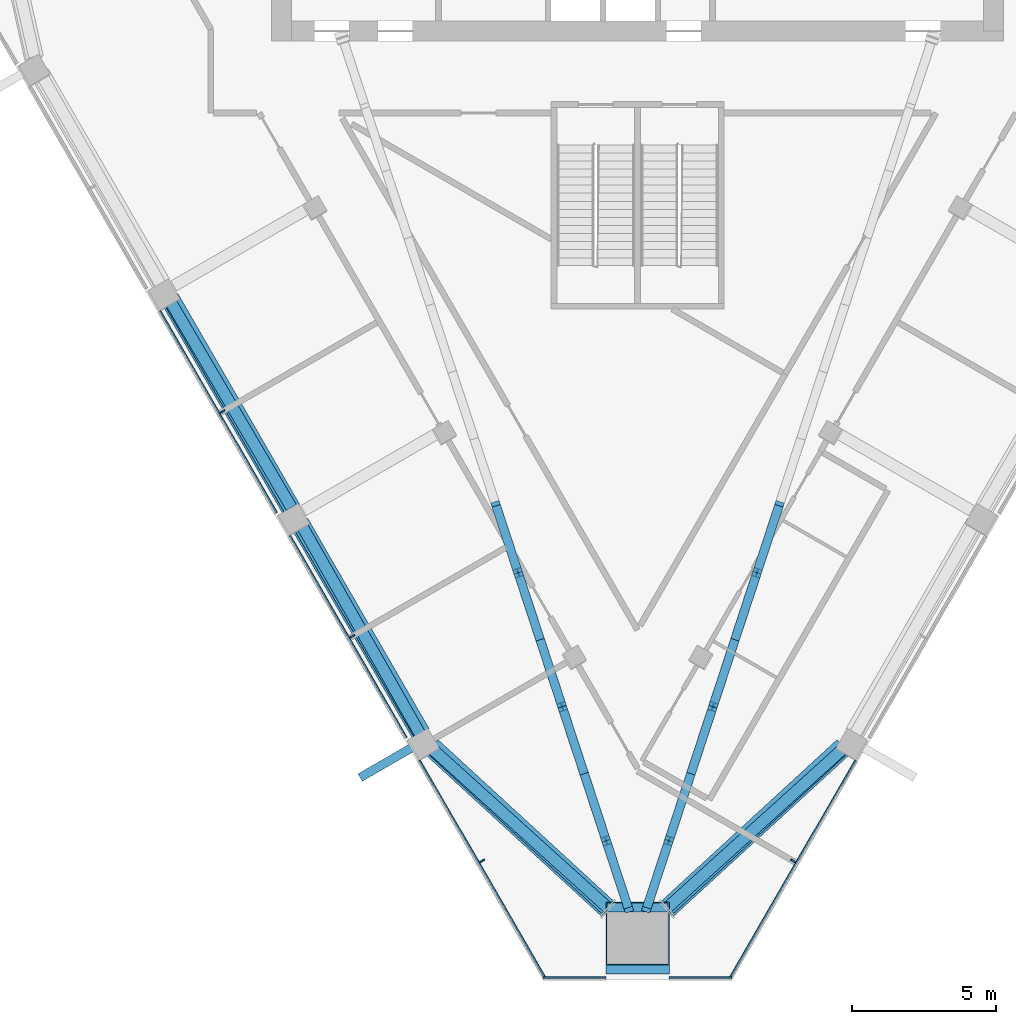
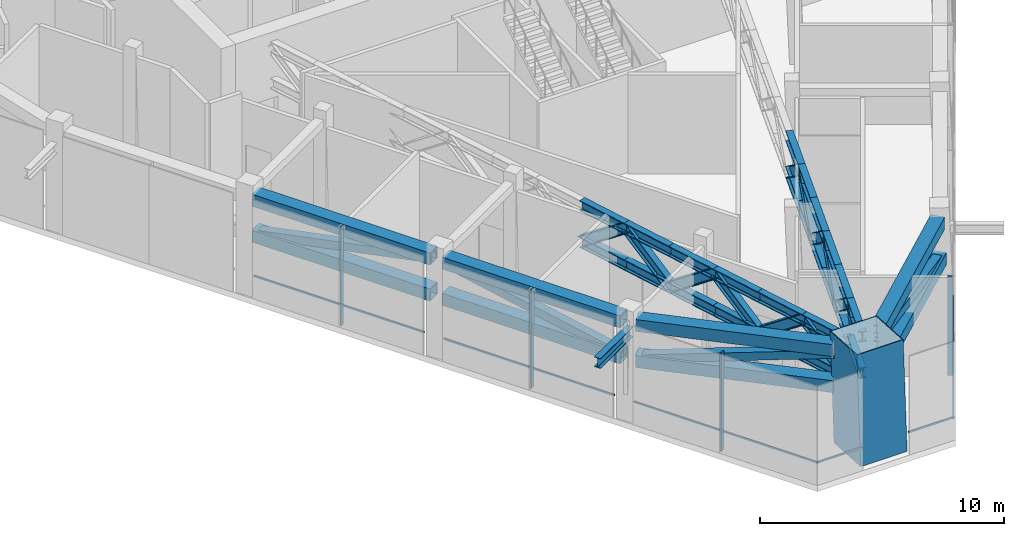
# One storey, part 2 of 14: 60 members, 3 elements without a shape of their own.
"""IFC4 building model written with IfcOpenShell, lengths in metres."""

from ifc_helpers import new_model, si_unit, direction, frame, origin, origin_2d, place, context, subcontext, project, spatial, rectangle, hollow_rectangle, i_section, extrude, material, layer, layer_set, material_profile, profile_set, type_object, element, aggregate, save


model = new_model("IFC4")

# Units and contexts
model_context = context("Model", 3, precision=1e-05, world=origin(), true_north=direction((0.0, 1.0)))
body_context = subcontext(model_context, "Body", "Model", "MODEL_VIEW")
ifc_project = project(units=[si_unit("LENGTHUNIT", "METRE"), si_unit("AREAUNIT", "SQUARE_METRE"), si_unit("VOLUMEUNIT", "CUBIC_METRE"), si_unit("PLANEANGLEUNIT", "RADIAN"), si_unit("MASSUNIT", "GRAM", prefix="KILO")], contexts=[model_context])

# Site, building, storey
site_placement = place(None, origin())
site = spatial("IfcSite", under=ifc_project, at=site_placement, CompositionType="ELEMENT")
building_placement = place(site_placement, origin())
building = spatial("IfcBuilding", under=site, at=building_placement, Name="Altiplano Prism Tower", CompositionType="ELEMENT")
storey_placement = place(building_placement, frame((0.0, 0.0, 189.0)))
storey = spatial("IfcBuildingStorey", under=building, at=storey_placement, Name="L49", CompositionType="ELEMENT", Elevation=189.0)

# Members
ifc_material_1 = material(Name="Steel S355", Category="steel")
ifc_material_profile_1 = material_profile(ifc_material_1, hollow_rectangle(XDim=0.60009765625, YDim=0.60009765625, WallThickness=0.030029296875, at=origin_2d()), Name="Belt chord Box 600x600x30")
ifc_profile_set_1 = profile_set([ifc_material_profile_1], Name="Steel S355")
member_type_1 = type_object("IfcMemberType", Name="Belt chord Box 600x600x30", PredefinedType="CHORD", material=ifc_profile_set_1)
for number, where, z_axis, x_axis, name in (
    (1, (68.757080078125, 83.725830078125, 2.89990234375), (0.499993714791, -0.866029032521, 0.0), (0.866029032521, 0.499993714791, 0.0), "Belt truss R2 chord b7"),
    (2, (68.796142578125, 83.793212890625, 4.64990234375), (0.499993714791, -0.866029032521, 0.0), (0.866029032521, 0.499993714791, 0.0), "Belt truss R2 chord t7"),
    (3, (73.257080078125, 75.931640625, 2.89990234375), (0.499993714791, -0.866029032521, 0.0), (0.866029032521, 0.499993714791, 0.0), "Belt truss R2 chord b8"),
    (4, (73.296142578125, 75.9990234375, 4.64990234375), (0.499993714791, -0.866029032521, 0.0), (0.866029032521, 0.499993714791, 0.0), "Belt truss R2 chord t8"),
):
    element("IfcMember", number, at=place(storey_placement, frame(where, z_axis=z_axis, x_axis=x_axis)), inside=storey, type_object=member_type_1, Name=name, PredefinedType="CHORD", context=body_context, shape_type="SweptSolid", body=[
        extrude(hollow_rectangle(XDim=0.60009765625, YDim=0.60009765625, WallThickness=0.030029296875, at=origin_2d()), origin(), (0.0, 0.0, 1.0), 8.43994140625),
    ])
member_1_placement = place(storey_placement, frame((77.837646484375, 68.177490234375, 2.89990234375), z_axis=(0.736503904896, -0.676433291666, 0.0), x_axis=(0.676433291666, 0.736503904896, 0.0)))
element("IfcMember", 5, at=member_1_placement, inside=storey, type_object=member_type_1, Name="Belt truss R2 chord b9", PredefinedType="CHORD", context=body_context, shape_type="SweptSolid", body=[
    extrude(hollow_rectangle(XDim=0.60009765625, YDim=0.60009765625, WallThickness=0.030029296875, at=origin_2d()), origin(), (0.0, 0.0, 1.0), 8.311279296875),
])
member_2_placement = place(storey_placement, frame((77.87646484375, 68.24462890625, 4.64990234375), z_axis=(0.736473983829, -0.676465868425, 0.0), x_axis=(0.676465868425, 0.736473983829, 0.0)))
element("IfcMember", 6, at=member_2_placement, inside=storey, type_object=member_type_1, Name="Belt truss R2 chord t9", PredefinedType="CHORD", context=body_context, shape_type="SweptSolid", body=[
    extrude(hollow_rectangle(XDim=0.60009765625, YDim=0.60009765625, WallThickness=0.030029296875, at=origin_2d()), origin(), (0.0, 0.0, 1.0), 8.259033203125),
])
member_3_placement = place(storey_placement, frame((86.041015625, 62.555419921875, 2.89990234375), z_axis=(0.736503904896, 0.676433291666, 0.0), x_axis=(-0.676433291666, 0.736503904896, 0.0)))
element("IfcMember", 7, at=member_3_placement, inside=storey, type_object=member_type_1, Name="Belt truss R2 chord b10", PredefinedType="CHORD", context=body_context, shape_type="SweptSolid", body=[
    extrude(hollow_rectangle(XDim=0.60009765625, YDim=0.60009765625, WallThickness=0.030029296875, at=origin_2d()), origin(), (0.0, 0.0, 1.0), 8.311279296875),
])
member_4_placement = place(storey_placement, frame((86.041015625, 62.65771484375, 4.64990234375), z_axis=(0.736473983829, 0.676465868425, 0.0), x_axis=(-0.676465868425, 0.736473983829, 0.0)))
element("IfcMember", 8, at=member_4_placement, inside=storey, type_object=member_type_1, Name="Belt truss R2 chord t10", PredefinedType="CHORD", context=body_context, shape_type="SweptSolid", body=[
    extrude(hollow_rectangle(XDim=0.60009765625, YDim=0.60009765625, WallThickness=0.030029296875, at=origin_2d()), origin(), (0.0, 0.0, 1.0), 8.259033203125),
])
ifc_material_profile_2 = material_profile(ifc_material_1, hollow_rectangle(XDim=0.39990234375, YDim=0.39990234375, WallThickness=0.02001953125, at=origin_2d()), Name="Belt diagonal Box 400x400x20")
ifc_profile_set_2 = profile_set([ifc_material_profile_2], Name="Steel S355")
member_type_2 = type_object("IfcMemberType", Name="Belt diagonal Box 400x400x20", PredefinedType="BRACE", material=ifc_profile_set_2)
member_5_placement = place(storey_placement, frame((68.759033203125, 83.726806640625, 2.95458984375), z_axis=(0.497100402967, -0.84626002963, 0.191664163632), x_axis=(0.862245571971, 0.506490447706, 0.0)))
element("IfcMember", 9, at=member_5_placement, inside=storey, type_object=member_type_2, Name="Belt truss R2 diagonal 7", PredefinedType="BRACE", context=body_context, shape_type="SweptSolid", body=[
    extrude(hollow_rectangle(XDim=0.39990234375, YDim=0.39990234375, WallThickness=0.02001953125, at=origin_2d()), origin(), (0.0, 0.0, 1.0), 8.559814453125),
])
member_6_placement = place(storey_placement, frame((73.294189453125, 75.997802734375, 4.595703125), z_axis=(0.484543905477, -0.853866939434, -0.190074862635), x_axis=(0.869722325715, 0.493541362149, 0.0)))
element("IfcMember", 10, at=member_6_placement, inside=storey, type_object=member_type_2, Name="Belt truss R2 diagonal 8", PredefinedType="BRACE", context=body_context, shape_type="SweptSolid", body=[
    extrude(hollow_rectangle(XDim=0.39990234375, YDim=0.39990234375, WallThickness=0.02001953125, at=origin_2d()), origin(), (0.0, 0.0, 1.0), 8.63671875),
])
for number, where, z_axis, x_axis, name in (
    (11, (77.839111328125, 68.17919921875, 2.95263671875), (0.730410433838, -0.660705141432, 0.173116475892), (0.670833820868, 0.741607702751, 0.0), "Belt truss R2 diagonal 9"),
    (12, (86.0185546875, 62.623046875, 4.408447265625), (0.730410433838, 0.660705141432, -0.173116475892), (-0.670833820868, 0.741607702751, 0.0), "Belt truss R2 diagonal 10"),
):
    element("IfcMember", number, at=place(storey_placement, frame(where, z_axis=z_axis, x_axis=x_axis)), inside=storey, type_object=member_type_2, Name=name, PredefinedType="BRACE", context=body_context, shape_type="SweptSolid", body=[
        extrude(hollow_rectangle(XDim=0.39990234375, YDim=0.39990234375, WallThickness=0.02001953125, at=origin_2d()), origin(), (0.0, 0.0, 1.0), 8.409423828125),
    ])
ifc_material_profile_3 = material_profile(ifc_material_1, i_section(OverallWidth=0.300048828125, OverallDepth=0.5, WebThickness=0.014404296875, FlangeThickness=0.028076171875, FilletRadius=0.027099609375, at=origin_2d()), Name="Brace bracket HEB 500")
ifc_profile_set_3 = profile_set([ifc_material_profile_3], Name="Steel S355")
member_type_3 = type_object("IfcMemberType", Name="Brace bracket HEB 500", PredefinedType="STRUT", material=ifc_profile_set_3)
member_7_placement = place(storey_placement, frame((77.672607421875, 68.47607421875, 4.120849609375), z_axis=(-0.866029095148, -0.499993606316, 0.0), x_axis=(0.499993606316, -0.866029095148, 0.0)))
element("IfcMember", 13, at=member_7_placement, inside=storey, type_object=member_type_3, Name="Brace bracket 1.194.4", PredefinedType="STRUT", context=body_context, shape_type="SweptSolid", body=[
    extrude(i_section(OverallWidth=0.300048828125, OverallDepth=0.5, WebThickness=0.014404296875, FlangeThickness=0.028076171875, FilletRadius=0.027099609375, at=origin_2d()), origin(), (0.0, 0.0, 1.0), 2.64990234375),
])

# Curtain wall, members
ifc_material_2 = material(Name="Aluminium and glass", Category="aluminium")
ifc_layer = layer(ifc_material_2, 0.320068359375)
ifc_layer_set = layer_set([ifc_layer], Name="Aluminium and glass")
curtain_wall_type = type_object("IfcCurtainWallType", Name="CW6 louvred plant-floor curtain wall", PredefinedType="NOTDEFINED", material=ifc_layer_set)
curtain_wall_1_placement = place(storey_placement, origin())
curtain_wall_1 = element("IfcCurtainWall", 14, at=curtain_wall_1_placement, inside=storey, type_object=curtain_wall_type, Name="CW6 curtain wall south-west face L49", PredefinedType="NOTDEFINED")
ifc_material_3 = material(Name="Aluminium", Category="aluminium")
ifc_material_profile_4 = material_profile(ifc_material_3, rectangle(XDim=0.199951171875, YDim=0.06005859375, at=origin_2d()), Name="CW6 mullion 60 x 200")
ifc_profile_set_4 = profile_set([ifc_material_profile_4], Name="Aluminium")
member_type_4 = type_object("IfcMemberType", Name="CW6 mullion 60 x 200", PredefinedType="MULLION", material=ifc_profile_set_4)
member_8_placement = place(storey_placement, frame((70.603515625, 79.844482421875, 0.0), z_axis=(0.0, 0.0, 1.0), x_axis=(0.866025397379, 0.500000011094, 0.0)))
member_8 = element("IfcMember", 15, at=member_8_placement, type_object=member_type_4, Name="CW6 mullion", PredefinedType="MULLION", context=body_context, shape_type="SweptSolid", body=[
    extrude(rectangle(XDim=0.199951171875, YDim=0.06005859375, at=origin_2d()), origin(), (0.0, 0.0, 1.0), 4.949951171875),
])
member_9_placement = place(storey_placement, frame((75.103515625, 72.05029296875, 0.0), z_axis=(0.0, 0.0, 1.0), x_axis=(0.866025397379, 0.500000011094, 0.0)))
member_9 = element("IfcMember", 16, at=member_9_placement, type_object=member_type_4, Name="CW6 mullion", PredefinedType="MULLION", context=body_context, shape_type="SweptSolid", body=[
    extrude(rectangle(XDim=0.199951171875, YDim=0.06005859375, at=origin_2d()), origin(), (0.0, 0.0, 1.0), 4.949951171875),
])
member_10_placement = place(storey_placement, frame((79.603515625, 64.256103515625, 0.0), z_axis=(0.0, 0.0, 1.0), x_axis=(0.866025397379, 0.500000011094, 0.0)))
member_10 = element("IfcMember", 17, at=member_10_placement, type_object=member_type_4, Name="CW6 mullion", PredefinedType="MULLION", context=body_context, shape_type="SweptSolid", body=[
    extrude(rectangle(XDim=0.199951171875, YDim=0.06005859375, at=origin_2d()), origin(), (0.0, 0.0, 1.0), 4.949951171875),
])

# Curtain wall, member
curtain_wall_2_placement = place(storey_placement, origin())
curtain_wall_2 = element("IfcCurtainWall", 18, at=curtain_wall_2_placement, inside=storey, type_object=curtain_wall_type, Name="CW6 curtain wall south-east face L49", PredefinedType="NOTDEFINED")
member_11_placement = place(storey_placement, frame((90.396484375, 64.256103515625, 0.0), z_axis=(0.0, 0.0, 1.0), x_axis=(-0.866025397379, 0.500000011094, 0.0)))
member_11 = element("IfcMember", 19, at=member_11_placement, type_object=member_type_4, Name="CW6 mullion", PredefinedType="MULLION", context=body_context, shape_type="SweptSolid", body=[
    extrude(rectangle(XDim=0.199951171875, YDim=0.06005859375, at=origin_2d()), origin(), (0.0, 0.0, 1.0), 4.949951171875),
])

# Member
ifc_material_profile_5 = material_profile(ifc_material_3, rectangle(XDim=0.06005859375, YDim=0.080078125, at=origin_2d()), Name="CW6 transom 80 x 60")
ifc_profile_set_5 = profile_set([ifc_material_profile_5], Name="Aluminium")
member_type_5 = type_object("IfcMemberType", Name="CW6 transom 80 x 60", PredefinedType="USERDEFINED", material=ifc_profile_set_5)
member_12_placement = place(storey_placement, frame((68.44091796875, 83.330322265625, 1.10009765625), z_axis=(0.499999695987, -0.866025579307, 0.0), x_axis=(0.866025579307, 0.499999695987, 0.0)))
member_12 = element("IfcMember", 20, at=member_12_placement, type_object=member_type_5, Name="CW6 transom", ObjectType="TRANSOM", PredefinedType="USERDEFINED", context=body_context, shape_type="SweptSolid", body=[
    extrude(rectangle(XDim=0.06005859375, YDim=0.080078125, at=origin_2d()), origin(), (0.0, 0.0, 1.0), 8.080078125),
])

member_13_placement = place(storey_placement, frame((72.94091796875, 75.535888671875, 1.10009765625), z_axis=(0.500012779794, -0.866018025241, 0.0), x_axis=(0.866018025241, 0.500012779794, 0.0)))
member_13 = element("IfcMember", 21, at=member_13_placement, type_object=member_type_5, Name="CW6 transom", ObjectType="TRANSOM", PredefinedType="USERDEFINED", context=body_context, shape_type="SweptSolid", body=[
    extrude(rectangle(XDim=0.06005859375, YDim=0.080078125, at=origin_2d()), origin(), (0.0, 0.0, 1.0), 8.079833984375),
])

member_14_placement = place(storey_placement, frame((77.44091796875, 67.74169921875, 1.10009765625), z_axis=(0.500012694249, -0.866018074632, 0.0), x_axis=(0.866018074632, 0.500012694249, 0.0)))
member_14 = element("IfcMember", 22, at=member_14_placement, type_object=member_type_5, Name="CW6 transom", ObjectType="TRANSOM", PredefinedType="USERDEFINED", context=body_context, shape_type="SweptSolid", body=[
    extrude(rectangle(XDim=0.06005859375, YDim=0.080078125, at=origin_2d()), origin(), (0.0, 0.0, 1.0), 8.737548828125),
])

aggregate(curtain_wall_1, [member_8, member_12, member_9, member_13, member_10, member_14])

# Curtain wall, members
curtain_wall_3_placement = place(storey_placement, origin())
curtain_wall_3 = element("IfcCurtainWall", 23, at=curtain_wall_3_placement, inside=storey, type_object=curtain_wall_type, Name="CW6 curtain wall south chamfer L49", PredefinedType="NOTDEFINED")
member_15_placement = place(storey_placement, frame((81.73193359375, 60.2197265625, 1.10009765625), z_axis=(1.0, 0.0, 0.0), x_axis=(0.0, 1.0, 0.0)))
member_15 = element("IfcMember", 24, at=member_15_placement, type_object=member_type_5, Name="CW6 transom", ObjectType="TRANSOM", PredefinedType="USERDEFINED", context=body_context, shape_type="SweptSolid", body=[
    extrude(rectangle(XDim=0.06005859375, YDim=0.080078125, at=origin_2d()), origin(), (0.0, 0.0, 1.0), 2.16796875),
])
member_16_placement = place(storey_placement, frame((86.10009765625, 60.2197265625, 1.10009765625), z_axis=(1.0, 0.0, 0.0), x_axis=(0.0, 1.0, 0.0)))
member_16 = element("IfcMember", 25, at=member_16_placement, type_object=member_type_5, Name="CW6 transom", ObjectType="TRANSOM", PredefinedType="USERDEFINED", context=body_context, shape_type="SweptSolid", body=[
    extrude(rectangle(XDim=0.06005859375, YDim=0.080078125, at=origin_2d()), origin(), (0.0, 0.0, 1.0), 2.16796875),
])
aggregate(curtain_wall_3, [member_15, member_16])

# Member
member_17_placement = place(storey_placement, frame((88.190185546875, 60.1748046875, 1.10009765625), z_axis=(0.500012694249, 0.866018074632, 0.0), x_axis=(-0.866018074632, 0.500012694249, 0.0)))
member_17 = element("IfcMember", 26, at=member_17_placement, type_object=member_type_5, Name="CW6 transom", ObjectType="TRANSOM", PredefinedType="USERDEFINED", context=body_context, shape_type="SweptSolid", body=[
    extrude(rectangle(XDim=0.06005859375, YDim=0.080078125, at=origin_2d()), origin(), (0.0, 0.0, 1.0), 8.737548828125),
])

aggregate(curtain_wall_2, [member_11, member_17])

# Members
ifc_material_4 = material(Name="Steel S460", Category="steel")
ifc_material_profile_6 = material_profile(ifc_material_4, hollow_rectangle(XDim=2.199951171875, YDim=2.199951171875, WallThickness=0.0400390625, at=origin_2d()), Name="Mega column tube 2200")
ifc_profile_set_6 = profile_set([ifc_material_profile_6], Name="Steel S460")
member_type_6 = type_object("IfcMemberType", Name="Mega column tube 2200", PredefinedType="POST", material=ifc_profile_set_6)
member_18_placement = place(storey_placement, frame((85.0, 61.4296875, 0.0), z_axis=(0.0, 0.058359537448, 0.998295629755), x_axis=(-1.0, 0.0, 0.0)))
element("IfcMember", 27, at=member_18_placement, inside=storey, type_object=member_type_6, Name="Mega column tube M1 L49", PredefinedType="POST", context=body_context, shape_type="SweptSolid", body=[
    extrude(hollow_rectangle(XDim=2.199951171875, YDim=2.199951171875, WallThickness=0.0400390625, at=origin_2d()), origin(), (0.0, 0.0, 1.0), 5.4091796875),
])
ifc_material_profile_7 = material_profile(ifc_material_1, i_section(OverallWidth=0.305908203125, OverallDepth=0.52392578125, WebThickness=0.02099609375, FlangeThickness=0.0400390625, FilletRadius=0.027099609375, at=origin_2d()), Name="Outrigger chord HEM 500")
ifc_profile_set_7 = profile_set([ifc_material_profile_7], Name="Steel S355")
member_type_7 = type_object("IfcMemberType", Name="Outrigger chord HEM 500", PredefinedType="CHORD", material=ifc_profile_set_7)
for number, where, z_axis, x_axis, name in (
    (28, (84.676025390625, 62.636474609375, 2.862060546875), (-0.312061899705, 0.950061772072, 0.0), (-0.950061772072, -0.312061899705, 0.0), "Outrigger truss R2 3 chord b1"),
    (29, (84.676025390625, 62.636474609375, 4.68798828125), (-0.312061899705, 0.950061772072, 0.0), (-0.950061772072, -0.312061899705, 0.0), "Outrigger truss R2 3 chord t1"),
):
    element("IfcMember", number, at=place(storey_placement, frame(where, z_axis=z_axis, x_axis=x_axis)), inside=storey, type_object=member_type_7, Name=name, PredefinedType="CHORD", context=body_context, shape_type="SweptSolid", body=[
        extrude(i_section(OverallWidth=0.305908203125, OverallDepth=0.52392578125, WebThickness=0.02099609375, FlangeThickness=0.0400390625, FilletRadius=0.027099609375, at=origin_2d()), origin(), (0.0, 0.0, 1.0), 2.445556640625),
    ])
for number, where, z_axis, x_axis, name in (
    (30, (83.912841796875, 64.9599609375, 2.862060546875), (-0.312152001858, 0.950032171948, 0.0), (-0.950032171948, -0.312152001858, 0.0), "Outrigger truss R2 3 chord b2"),
    (31, (83.912841796875, 64.9599609375, 4.68798828125), (-0.312152001858, 0.950032171948, 0.0), (-0.950032171948, -0.312152001858, 0.0), "Outrigger truss R2 3 chord t2"),
    (32, (83.1494140625, 67.283447265625, 2.862060546875), (-0.312032305588, 0.950071492189, 0.0), (-0.950071492189, -0.312032305588, 0.0), "Outrigger truss R2 3 chord b3"),
    (33, (83.1494140625, 67.283447265625, 4.68798828125), (-0.312032305588, 0.950071492189, 0.0), (-0.950071492189, -0.312032305588, 0.0), "Outrigger truss R2 3 chord t3"),
    (34, (82.38623046875, 69.607177734375, 2.862060546875), (-0.312152001858, 0.950032171948, 0.0), (-0.950032171948, -0.312152001858, 0.0), "Outrigger truss R2 3 chord b4"),
    (35, (82.38623046875, 69.607177734375, 4.68798828125), (-0.312152001858, 0.950032171948, 0.0), (-0.950032171948, -0.312152001858, 0.0), "Outrigger truss R2 3 chord t4"),
):
    element("IfcMember", number, at=place(storey_placement, frame(where, z_axis=z_axis, x_axis=x_axis)), inside=storey, type_object=member_type_7, Name=name, PredefinedType="CHORD", context=body_context, shape_type="SweptSolid", body=[
        extrude(i_section(OverallWidth=0.305908203125, OverallDepth=0.52392578125, WebThickness=0.02099609375, FlangeThickness=0.0400390625, FilletRadius=0.027099609375, at=origin_2d()), origin(), (0.0, 0.0, 1.0), 2.44580078125),
    ])
for number, where, z_axis, x_axis, name in (
    (36, (81.622802734375, 71.9306640625, 2.862060546875), (-0.312061899705, 0.950061772072, 0.0), (-0.950061772072, -0.312061899705, 0.0), "Outrigger truss R2 3 chord b5"),
    (37, (81.622802734375, 71.9306640625, 4.68798828125), (-0.312061899705, 0.950061772072, 0.0), (-0.950061772072, -0.312061899705, 0.0), "Outrigger truss R2 3 chord t5"),
):
    element("IfcMember", number, at=place(storey_placement, frame(where, z_axis=z_axis, x_axis=x_axis)), inside=storey, type_object=member_type_7, Name=name, PredefinedType="CHORD", context=body_context, shape_type="SweptSolid", body=[
        extrude(i_section(OverallWidth=0.305908203125, OverallDepth=0.52392578125, WebThickness=0.02099609375, FlangeThickness=0.0400390625, FilletRadius=0.027099609375, at=origin_2d()), origin(), (0.0, 0.0, 1.0), 2.445556640625),
    ])
for number, where, z_axis, x_axis, name in (
    (38, (80.859619140625, 74.254150390625, 2.862060546875), (-0.312152001858, 0.950032171948, 0.0), (-0.950032171948, -0.312152001858, 0.0), "Outrigger truss R2 3 chord b6"),
    (39, (80.859619140625, 74.254150390625, 4.68798828125), (-0.312152001858, 0.950032171948, 0.0), (-0.950032171948, -0.312152001858, 0.0), "Outrigger truss R2 3 chord t6"),
):
    element("IfcMember", number, at=place(storey_placement, frame(where, z_axis=z_axis, x_axis=x_axis)), inside=storey, type_object=member_type_7, Name=name, PredefinedType="CHORD", context=body_context, shape_type="SweptSolid", body=[
        extrude(i_section(OverallWidth=0.305908203125, OverallDepth=0.52392578125, WebThickness=0.02099609375, FlangeThickness=0.0400390625, FilletRadius=0.027099609375, at=origin_2d()), origin(), (0.0, 0.0, 1.0), 2.44580078125),
    ])
for number, where, z_axis, x_axis, name in (
    (40, (85.323974609375, 62.636474609375, 2.862060546875), (0.312061899705, 0.950061772072, 0.0), (-0.950061772072, 0.312061899705, 0.0), "Outrigger truss R2 4 chord b1"),
    (41, (85.323974609375, 62.636474609375, 4.68798828125), (0.312061899705, 0.950061772072, 0.0), (-0.950061772072, 0.312061899705, 0.0), "Outrigger truss R2 4 chord t1"),
):
    element("IfcMember", number, at=place(storey_placement, frame(where, z_axis=z_axis, x_axis=x_axis)), inside=storey, type_object=member_type_7, Name=name, PredefinedType="CHORD", context=body_context, shape_type="SweptSolid", body=[
        extrude(i_section(OverallWidth=0.305908203125, OverallDepth=0.52392578125, WebThickness=0.02099609375, FlangeThickness=0.0400390625, FilletRadius=0.027099609375, at=origin_2d()), origin(), (0.0, 0.0, 1.0), 2.445556640625),
    ])
for number, where, z_axis, x_axis, name in (
    (42, (86.087158203125, 64.9599609375, 2.862060546875), (0.312152001858, 0.950032171948, 0.0), (-0.950032171948, 0.312152001858, 0.0), "Outrigger truss R2 4 chord b2"),
    (43, (86.087158203125, 64.9599609375, 4.68798828125), (0.312152001858, 0.950032171948, 0.0), (-0.950032171948, 0.312152001858, 0.0), "Outrigger truss R2 4 chord t2"),
    (44, (86.8505859375, 67.283447265625, 2.862060546875), (0.312032305588, 0.950071492189, 0.0), (-0.950071492189, 0.312032305588, 0.0), "Outrigger truss R2 4 chord b3"),
    (45, (86.8505859375, 67.283447265625, 4.68798828125), (0.312032305588, 0.950071492189, 0.0), (-0.950071492189, 0.312032305588, 0.0), "Outrigger truss R2 4 chord t3"),
    (46, (87.61376953125, 69.607177734375, 2.862060546875), (0.312152001858, 0.950032171948, 0.0), (-0.950032171948, 0.312152001858, 0.0), "Outrigger truss R2 4 chord b4"),
    (47, (87.61376953125, 69.607177734375, 4.68798828125), (0.312152001858, 0.950032171948, 0.0), (-0.950032171948, 0.312152001858, 0.0), "Outrigger truss R2 4 chord t4"),
):
    element("IfcMember", number, at=place(storey_placement, frame(where, z_axis=z_axis, x_axis=x_axis)), inside=storey, type_object=member_type_7, Name=name, PredefinedType="CHORD", context=body_context, shape_type="SweptSolid", body=[
        extrude(i_section(OverallWidth=0.305908203125, OverallDepth=0.52392578125, WebThickness=0.02099609375, FlangeThickness=0.0400390625, FilletRadius=0.027099609375, at=origin_2d()), origin(), (0.0, 0.0, 1.0), 2.44580078125),
    ])
for number, where, z_axis, x_axis, name in (
    (48, (88.377197265625, 71.9306640625, 2.862060546875), (0.312061899705, 0.950061772072, 0.0), (-0.950061772072, 0.312061899705, 0.0), "Outrigger truss R2 4 chord b5"),
    (49, (88.377197265625, 71.9306640625, 4.68798828125), (0.312061899705, 0.950061772072, 0.0), (-0.950061772072, 0.312061899705, 0.0), "Outrigger truss R2 4 chord t5"),
):
    element("IfcMember", number, at=place(storey_placement, frame(where, z_axis=z_axis, x_axis=x_axis)), inside=storey, type_object=member_type_7, Name=name, PredefinedType="CHORD", context=body_context, shape_type="SweptSolid", body=[
        extrude(i_section(OverallWidth=0.305908203125, OverallDepth=0.52392578125, WebThickness=0.02099609375, FlangeThickness=0.0400390625, FilletRadius=0.027099609375, at=origin_2d()), origin(), (0.0, 0.0, 1.0), 2.445556640625),
    ])
for number, where, z_axis, x_axis, name in (
    (50, (89.140380859375, 74.254150390625, 2.862060546875), (0.312152001858, 0.950032171948, 0.0), (-0.950032171948, 0.312152001858, 0.0), "Outrigger truss R2 4 chord b6"),
    (51, (89.140380859375, 74.254150390625, 4.68798828125), (0.312152001858, 0.950032171948, 0.0), (-0.950032171948, 0.312152001858, 0.0), "Outrigger truss R2 4 chord t6"),
):
    element("IfcMember", number, at=place(storey_placement, frame(where, z_axis=z_axis, x_axis=x_axis)), inside=storey, type_object=member_type_7, Name=name, PredefinedType="CHORD", context=body_context, shape_type="SweptSolid", body=[
        extrude(i_section(OverallWidth=0.305908203125, OverallDepth=0.52392578125, WebThickness=0.02099609375, FlangeThickness=0.0400390625, FilletRadius=0.027099609375, at=origin_2d()), origin(), (0.0, 0.0, 1.0), 2.44580078125),
    ])
ifc_material_profile_8 = material_profile(ifc_material_1, i_section(OverallWidth=0.300048828125, OverallDepth=0.5, WebThickness=0.014404296875, FlangeThickness=0.028076171875, FilletRadius=0.027099609375, at=origin_2d()), Name="Outrigger diagonal HEB 500")
ifc_profile_set_8 = profile_set([ifc_material_profile_8], Name="Steel S355")
member_type_8 = type_object("IfcMemberType", Name="Outrigger diagonal HEB 500", PredefinedType="BRACE", material=ifc_profile_set_8)
for number, where, z_axis, x_axis, name in (
    (52, (84.676025390625, 62.636474609375, 2.862060546875), (-0.250055510962, 0.761285443963, 0.598261409625), (-0.950061772072, -0.312061899705, 0.0), "Outrigger truss R2 3 diagonal 1"),
    (53, (83.912841796875, 64.9599609375, 4.68798828125), (-0.250130499147, 0.761270214386, -0.598249441357), (-0.950032171948, -0.312152001858, 0.0), "Outrigger truss R2 3 diagonal 2"),
):
    element("IfcMember", number, at=place(storey_placement, frame(where, z_axis=z_axis, x_axis=x_axis)), inside=storey, type_object=member_type_8, Name=name, PredefinedType="BRACE", context=body_context, shape_type="SweptSolid", body=[
        extrude(i_section(OverallWidth=0.300048828125, OverallDepth=0.5, WebThickness=0.014404296875, FlangeThickness=0.028076171875, FilletRadius=0.027099609375, at=origin_2d()), origin(), (0.0, 0.0, 1.0), 3.052001953125),
    ])
member_19_placement = place(storey_placement, frame((83.1494140625, 67.283447265625, 2.862060546875), z_axis=(-0.250040283955, 0.761319073156, 0.598224978791), x_axis=(-0.950071492189, -0.312032305588, 0.0)))
element("IfcMember", 54, at=member_19_placement, inside=storey, type_object=member_type_8, Name="Outrigger truss R2 3 diagonal 3", PredefinedType="BRACE", context=body_context, shape_type="SweptSolid", body=[
    extrude(i_section(OverallWidth=0.300048828125, OverallDepth=0.5, WebThickness=0.014404296875, FlangeThickness=0.028076171875, FilletRadius=0.027099609375, at=origin_2d()), origin(), (0.0, 0.0, 1.0), 3.05224609375),
])
for number, where, z_axis, x_axis, name in (
    (55, (82.38623046875, 69.607177734375, 4.68798828125), (-0.250130499147, 0.761270214386, -0.598249441357), (-0.950032171948, -0.312152001858, 0.0), "Outrigger truss R2 3 diagonal 4"),
    (56, (81.622802734375, 71.9306640625, 2.862060546875), (-0.250055510962, 0.761285443963, 0.598261409625), (-0.950061772072, -0.312061899705, 0.0), "Outrigger truss R2 3 diagonal 5"),
    (57, (80.859619140625, 74.254150390625, 4.68798828125), (-0.250130499147, 0.761270214386, -0.598249441357), (-0.950032171948, -0.312152001858, 0.0), "Outrigger truss R2 3 diagonal 6"),
    (58, (85.323974609375, 62.636474609375, 2.862060546875), (0.250055510962, 0.761285443963, 0.598261409625), (-0.950061772072, 0.312061899705, 0.0), "Outrigger truss R2 4 diagonal 1"),
    (59, (86.087158203125, 64.9599609375, 4.68798828125), (0.250130499147, 0.761270214386, -0.598249441357), (-0.950032171948, 0.312152001858, 0.0), "Outrigger truss R2 4 diagonal 2"),
):
    element("IfcMember", number, at=place(storey_placement, frame(where, z_axis=z_axis, x_axis=x_axis)), inside=storey, type_object=member_type_8, Name=name, PredefinedType="BRACE", context=body_context, shape_type="SweptSolid", body=[
        extrude(i_section(OverallWidth=0.300048828125, OverallDepth=0.5, WebThickness=0.014404296875, FlangeThickness=0.028076171875, FilletRadius=0.027099609375, at=origin_2d()), origin(), (0.0, 0.0, 1.0), 3.052001953125),
    ])
member_20_placement = place(storey_placement, frame((86.8505859375, 67.283447265625, 2.862060546875), z_axis=(0.250040283955, 0.761319073156, 0.598224978791), x_axis=(-0.950071492189, 0.312032305588, 0.0)))
element("IfcMember", 60, at=member_20_placement, inside=storey, type_object=member_type_8, Name="Outrigger truss R2 4 diagonal 3", PredefinedType="BRACE", context=body_context, shape_type="SweptSolid", body=[
    extrude(i_section(OverallWidth=0.300048828125, OverallDepth=0.5, WebThickness=0.014404296875, FlangeThickness=0.028076171875, FilletRadius=0.027099609375, at=origin_2d()), origin(), (0.0, 0.0, 1.0), 3.05224609375),
])
for number, where, z_axis, x_axis, name in (
    (61, (87.61376953125, 69.607177734375, 4.68798828125), (0.250130499147, 0.761270214386, -0.598249441357), (-0.950032171948, 0.312152001858, 0.0), "Outrigger truss R2 4 diagonal 4"),
    (62, (88.377197265625, 71.9306640625, 2.862060546875), (0.250055510962, 0.761285443963, 0.598261409625), (-0.950061772072, 0.312061899705, 0.0), "Outrigger truss R2 4 diagonal 5"),
    (63, (89.140380859375, 74.254150390625, 4.68798828125), (0.250130499147, 0.761270214386, -0.598249441357), (-0.950032171948, 0.312152001858, 0.0), "Outrigger truss R2 4 diagonal 6"),
):
    element("IfcMember", number, at=place(storey_placement, frame(where, z_axis=z_axis, x_axis=x_axis)), inside=storey, type_object=member_type_8, Name=name, PredefinedType="BRACE", context=body_context, shape_type="SweptSolid", body=[
        extrude(i_section(OverallWidth=0.300048828125, OverallDepth=0.5, WebThickness=0.014404296875, FlangeThickness=0.028076171875, FilletRadius=0.027099609375, at=origin_2d()), origin(), (0.0, 0.0, 1.0), 3.052001953125),
    ])

save(model, "model.ifc")
